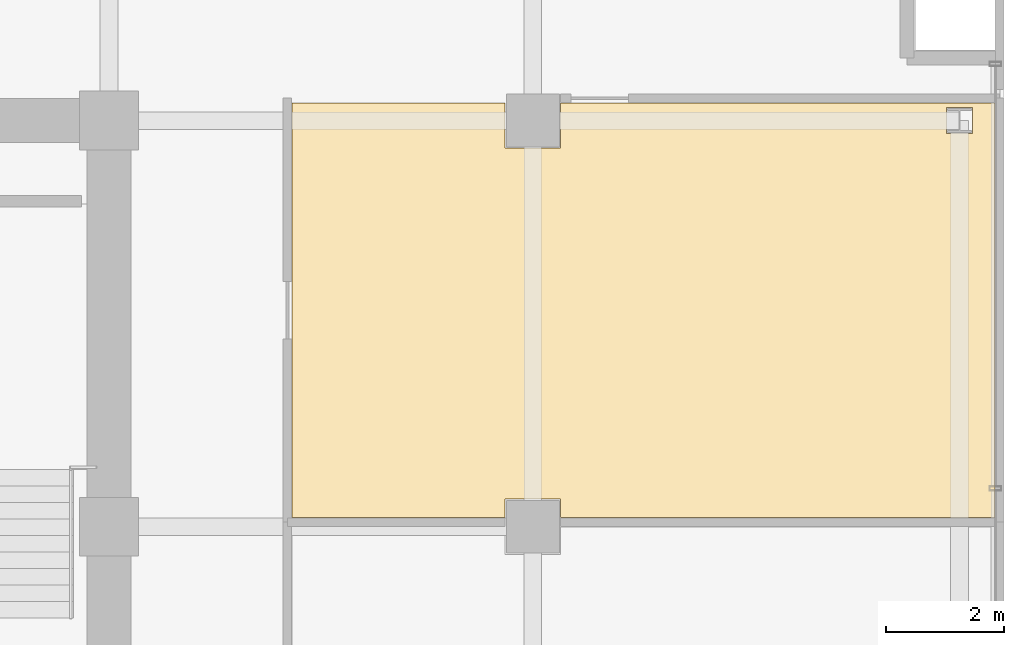
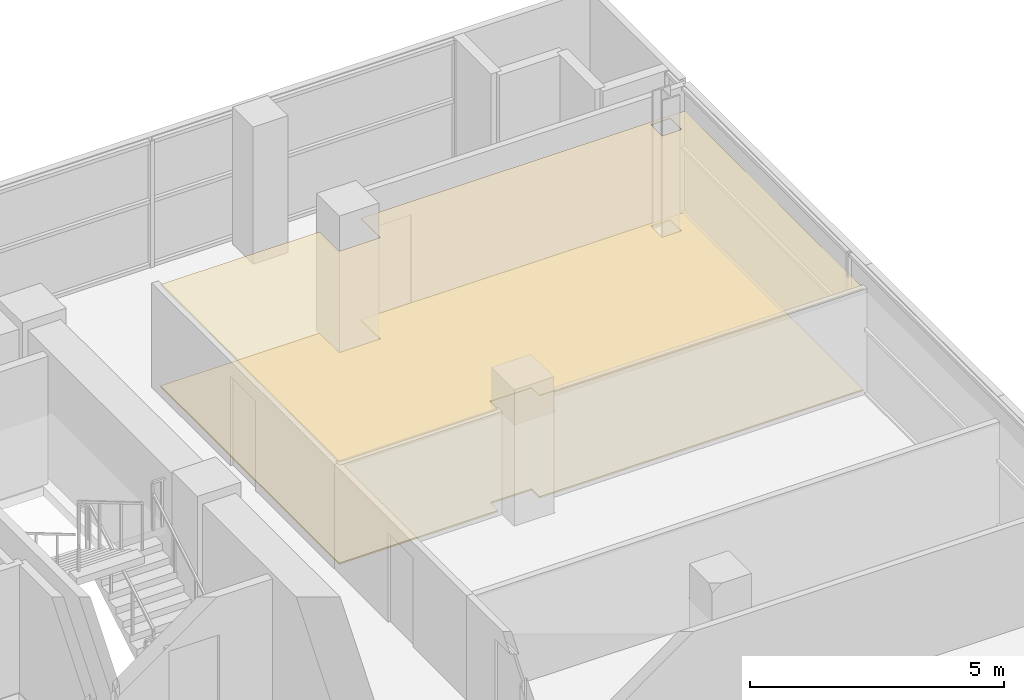
# One storey, part 22 of 23: 2 coverings.
"""IFC4 building model written with IfcOpenShell, lengths in metres."""

from ifc_helpers import new_model, si_unit, direction, frame, origin, place, context, subcontext, project, spatial, polyline, outline, extrude, material, layer, layer_set, type_object, element, save


model = new_model("IFC4")

# Units and contexts
model_context = context("Model", 3, precision=1e-05, world=origin(), true_north=direction((0.0, 1.0)))
body_context = subcontext(model_context, "Body", "Model", "MODEL_VIEW")
ifc_project = project(units=[si_unit("LENGTHUNIT", "METRE"), si_unit("AREAUNIT", "SQUARE_METRE"), si_unit("VOLUMEUNIT", "CUBIC_METRE"), si_unit("PLANEANGLEUNIT", "RADIAN"), si_unit("MASSUNIT", "GRAM", prefix="KILO")], contexts=[model_context])

# Site, building, storey
site_placement = place(None, origin())
site = spatial("IfcSite", under=ifc_project, at=site_placement, CompositionType="ELEMENT")
building_placement = place(site_placement, origin())
building = spatial("IfcBuilding", under=site, at=building_placement, Name="Zarnakvel Exchange Tower", CompositionType="ELEMENT")
storey_placement = place(building_placement, frame((0.0, 0.0, 129.699951171875)))
storey = spatial("IfcBuildingStorey", under=building, at=storey_placement, Name="L36", CompositionType="ELEMENT", Elevation=129.699951171875)

# Coverings
ifc_material_1 = material(Name="Perforated Bronze Acoustic Metal Ceiling", Category="aluminium")
ifc_layer_1 = layer(ifc_material_1, 0.02001953125)
ifc_layer_set_1 = layer_set([ifc_layer_1], Name="Perforated Bronze Acoustic Metal Ceiling")
covering_type_1 = type_object("IfcCoveringType", Name="CLG-01", PredefinedType="CEILING", material=ifc_layer_set_1)
covering_1_placement = place(storey_placement, frame((0.0, 0.0, 2.455078125)))
element("IfcCovering", 1, at=covering_1_placement, inside=storey, type_object=covering_type_1, Name="L36 Suspended Acoustic Ceiling (Members Lounge)", PredefinedType="CEILING", context=body_context, shape_type="SweptSolid", body=[
    extrude(outline(polyline([(17.510009765625, 13.800048828125), (21.1298828125, 13.800048828125), (21.1298828125, 13.030029296875), (22.070068359375, 13.030029296875), (22.070068359375, 13.800048828125), (29.449951171875, 13.800048828125), (29.449951171875, 6.7568359375), (22.070068359375, 6.7568359375), (22.070068359375, 7.070068359375), (21.1298828125, 7.070068359375), (21.1298828125, 6.7568359375), (17.510009765625, 6.7568359375), (17.510009765625, 13.800048828125)]), holes=[polyline([(28.6279296875, 13.276611328125), (29.072021484375, 13.276611328125), (29.072021484375, 13.723388671875), (28.6279296875, 13.723388671875), (28.6279296875, 13.276611328125)])]), origin(), (0.0, 0.0, 1.0), 0.02001953125),
])
ifc_material_2 = material(Name="Heavy-Duty Raised Access Floor Panel", Category="steel")
ifc_layer_2 = layer(ifc_material_2, 0.034912109375)
ifc_layer_set_2 = layer_set([ifc_layer_2], Name="Heavy-Duty Raised Access Floor Panel")
covering_type_2 = type_object("IfcCoveringType", Name="FLR-02", PredefinedType="FLOORING", material=ifc_layer_set_2)
covering_2_placement = place(storey_placement, origin())
element("IfcCovering", 2, at=covering_2_placement, inside=storey, type_object=covering_type_2, Name="L36 Floor Finish (Members Lounge)", PredefinedType="FLOORING", context=body_context, shape_type="SweptSolid", body=[
    extrude(outline(polyline([(17.510009765625, 13.800048828125), (21.1298828125, 13.800048828125), (21.1298828125, 13.030029296875), (22.070068359375, 13.030029296875), (22.070068359375, 13.800048828125), (29.449951171875, 13.800048828125), (29.449951171875, 6.7568359375), (22.070068359375, 6.7568359375), (22.070068359375, 7.070068359375), (21.1298828125, 7.070068359375), (21.1298828125, 6.7568359375), (17.510009765625, 6.7568359375), (17.510009765625, 13.800048828125)]), holes=[polyline([(28.6279296875, 13.276611328125), (29.072021484375, 13.276611328125), (29.072021484375, 13.723388671875), (28.6279296875, 13.723388671875), (28.6279296875, 13.276611328125)])]), origin(), (0.0, 0.0, 1.0), 0.03515625),
])

save(model, "model.ifc")
